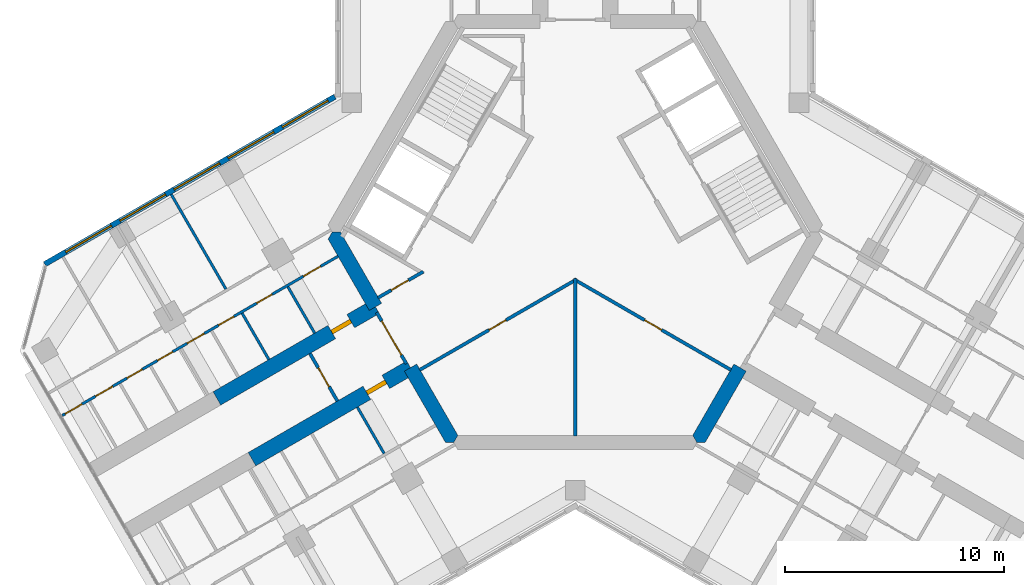
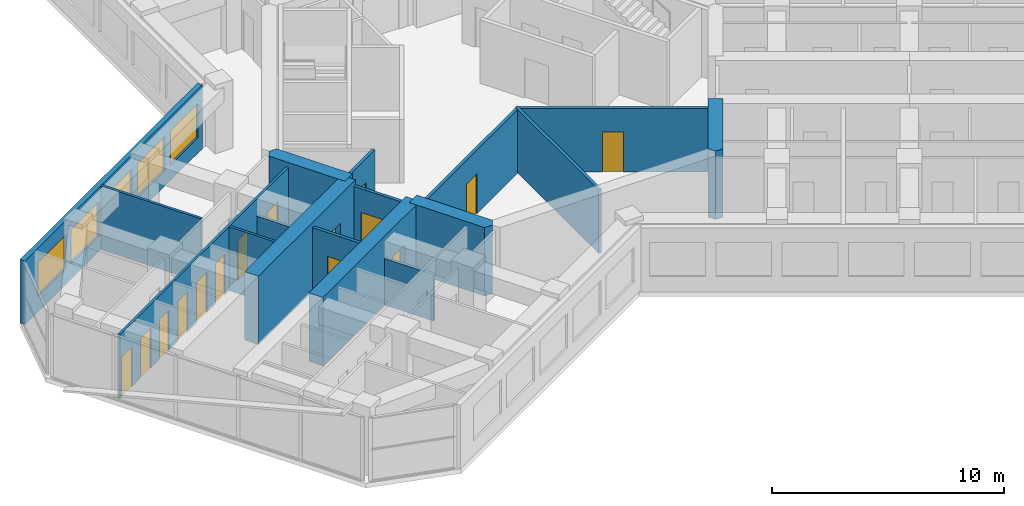
# One storey, part 9 of 16: 17 walls, 15 doors, 5 windows, 20 openings.
"""IFC4 building model written with IfcOpenShell, lengths in metres."""

import ifcopenshell
import ifcopenshell.guid

model = None  # the IFC model being written
_history = None  # IfcOwnerHistory: only IFC2X3 demands one
_inside = {}  # id of a spatial element -> (the spatial element, [elements in it])
_under = {}  # id of a project, library or spatial element -> (it, [spatial elements below it])
_declared = {}  # id of a project -> (the project, [libraries it declares])
_typed = {}  # id of a type object -> (the type object, [elements of that type])
_made_of = {}  # id of a material, layer set ... -> (it, [elements and type objects made of it])


def new_model(schema):
    """Start an empty IFC model of exactly this schema.

    Asked for "IFC4X3", IfcOpenShell would pick the latest addendum, in which some entities
    have other attributes; the version numbers below select the first issue.
    IFC2X3 requires an IfcOwnerHistory on every rooted entity: one is made here for all.
    """
    global model, _history
    if schema == "IFC4X3":
        model = ifcopenshell.file(schema_version=(4, 3, 0, 0))
    else:
        model = ifcopenshell.file(schema=schema)
    _inside.clear()
    _under.clear()
    _declared.clear()
    _typed.clear()
    _made_of.clear()
    _history = None
    if model.schema == "IFC2X3":
        org = make("IfcOrganization", Name="unknown")
        user = make(
            "IfcPersonAndOrganization",
            ThePerson=make("IfcPerson", FamilyName="unknown"),
            TheOrganization=org,
        )
        app = make(
            "IfcApplication",
            ApplicationDeveloper=org,
            Version="unknown",
            ApplicationFullName="unknown",
            ApplicationIdentifier="unknown",
        )
        _history = make(
            "IfcOwnerHistory",
            OwningUser=user,
            OwningApplication=app,
            ChangeAction="ADDED",
            CreationDate=0,
        )
    return model


def make(cls, **values):
    """One entity of the class cls with the attributes given. An attribute that is None is left unset."""
    return model.create_entity(
        cls, **{name: value for name, value in values.items() if value is not None}
    )


def rooted(cls, **values):
    """An entity with a GlobalId (a new one), such as an element, a storey or a relation."""
    return make(cls, GlobalId=ifcopenshell.guid.new(), OwnerHistory=_history, **values)


def si_unit(unit_type, name, prefix=None):
    """IfcSIUnit, for example si_unit("LENGTHUNIT", "METRE", prefix="MILLI")."""
    return make("IfcSIUnit", UnitType=unit_type, Prefix=prefix, Name=name)


def assignment(units):
    """IfcUnitAssignment: the units of a project."""
    return None if units is None else make("IfcUnitAssignment", Units=units)


def point(xyz):
    """IfcCartesianPoint."""
    return None if xyz is None else make("IfcCartesianPoint", Coordinates=xyz)


def direction(xyz):
    """IfcDirection."""
    return None if xyz is None else make("IfcDirection", DirectionRatios=xyz)


def frame(location, z_axis=None, x_axis=None):
    """IfcAxis2Placement3D, a coordinate frame: its origin and axes. An axis left out is left unset."""
    return make(
        "IfcAxis2Placement3D",
        Location=point(location),
        Axis=direction(z_axis),
        RefDirection=direction(x_axis),
    )


def frame_2d(location, x_axis=None):
    """IfcAxis2Placement2D, a coordinate frame in the plane: its origin and x axis."""
    return make(
        "IfcAxis2Placement2D", Location=point(location), RefDirection=direction(x_axis)
    )


def origin():
    """The frame at (0, 0, 0) with its axes left unset."""
    return frame((0.0, 0.0, 0.0))


def place(relative_to, where):
    """IfcLocalPlacement: puts the frame where relative to a parent placement (None: the world)."""
    return make(
        "IfcLocalPlacement", PlacementRelTo=relative_to, RelativePlacement=where
    )


def context(
    kind, dimensions, precision=None, world=None, true_north=None, identifier=None
):
    """IfcGeometricRepresentationContext, for example the 3D "Model" context."""
    return make(
        "IfcGeometricRepresentationContext",
        ContextIdentifier=identifier,
        ContextType=kind,
        CoordinateSpaceDimension=dimensions,
        Precision=precision,
        WorldCoordinateSystem=world,
        TrueNorth=true_north,
    )


def subcontext(parent, identifier, kind, view, scale=None):
    """IfcGeometricRepresentationSubContext, for example "Body" below "Model"."""
    return make(
        "IfcGeometricRepresentationSubContext",
        ContextIdentifier=identifier,
        ContextType=kind,
        ParentContext=parent,
        TargetScale=scale,
        TargetView=view,
    )


def project(units=None, contexts=None):
    """IfcProject with its units and contexts."""
    return rooted(
        "IfcProject",
        Name="project",
        RepresentationContexts=contexts,
        UnitsInContext=assignment(units),
    )


def spatial(cls, under=None, at=None, **own):
    """A site, building, storey or space (cls), placed at a placement, below another one or the project."""
    s = rooted(cls, ObjectPlacement=at, **own)
    if under is not None:
        _under.setdefault(under.id(), (under, []))[1].append(s)
    return s


def polyline(points):
    """IfcPolyline through the points."""
    return make("IfcPolyline", Points=[point(p) for p in points])


def profile(cls, at=None, kind="AREA", **sizes):
    """A parametric profile (cls). Its sizes go by their IFC names, for example OverallWidth=200.0."""
    return make(cls, ProfileType=kind, Position=at, **sizes)


def rectangle(**sizes):
    """IfcRectangleProfileDef."""
    return profile("IfcRectangleProfileDef", **sizes)


def outline(outer, holes=None, kind="AREA"):
    """IfcArbitraryClosedProfileDef: a profile drawn as a closed curve; with holes, ...WithVoids."""
    if holes is None:
        return make("IfcArbitraryClosedProfileDef", ProfileType=kind, OuterCurve=outer)
    return make(
        "IfcArbitraryProfileDefWithVoids",
        ProfileType=kind,
        OuterCurve=outer,
        InnerCurves=holes,
    )


def extrude(swept, where, along, depth):
    """IfcExtrudedAreaSolid: the profile swept, set in the frame where, extruded along a direction by depth."""
    return make(
        "IfcExtrudedAreaSolid",
        SweptArea=swept,
        Position=where,
        ExtrudedDirection=direction(along),
        Depth=depth,
    )


def shape(context_of_items, identifier, shape_type, items):
    """IfcShapeRepresentation: the items that make up one representation, for example the "Body"."""
    return make(
        "IfcShapeRepresentation",
        ContextOfItems=context_of_items,
        RepresentationIdentifier=identifier,
        RepresentationType=shape_type,
        Items=items,
    )


def material(Name=None, Category=None):
    """IfcMaterial."""
    return make("IfcMaterial", Name=Name, Category=Category)


def layer(
    of_material, thickness, ventilated=None, Name=None, Category=None, Priority=None
):
    """IfcMaterialLayer: one layer of a wall or slab, of a material (None: an air gap)."""
    return make(
        "IfcMaterialLayer",
        Material=of_material,
        LayerThickness=thickness,
        IsVentilated=ventilated,
        Name=Name,
        Category=Category,
        Priority=Priority,
    )


def layer_set(layers, Name=None):
    """IfcMaterialLayerSet."""
    return make("IfcMaterialLayerSet", MaterialLayers=layers, LayerSetName=Name)


def made_of(thing, what):
    """Note that an element or type object is made of a material, layer set ...; save() writes the relation."""
    if what is not None:
        _made_of.setdefault(what.id(), (what, []))[1].append(thing)
    return thing


def type_object(cls, material=None, **own):
    """A type object (cls), such as IfcWallType, which elements share."""
    return made_of(rooted(cls, **own), material)


def element(
    cls,
    number,
    at=None,
    inside=None,
    cuts=None,
    type_object=None,
    material=None,
    context=None,
    identifier="Body",
    shape_type=None,
    held_by="IfcProductDefinitionShape",
    body=None,
    shapes=None,
    **own,
):
    """One element of the class cls, such as IfcWall. Its Tag is "e" and its number.

    at: its placement. inside: the storey or other place that contains it. cuts: it is an
    opening in that element (IfcRelVoidsElement). A single representation is given by context,
    identifier, shape_type and body (its items); several are given by shapes. held_by: the class
    of the entity that holds the representations. save() writes the other relations.
    """
    e = rooted(cls, Tag="e%d" % number, ObjectPlacement=at, **own)
    if body is not None:
        shapes = [shape(context, identifier, shape_type, body)]
    if shapes is not None:
        e.Representation = make(held_by, Representations=shapes)
    if inside is not None:
        _inside.setdefault(inside.id(), (inside, []))[1].append(e)
    if cuts is not None:
        rooted(
            "IfcRelVoidsElement", RelatingBuildingElement=cuts, RelatedOpeningElement=e
        )
    if type_object is not None:
        _typed.setdefault(type_object.id(), (type_object, []))[1].append(e)
    return made_of(e, material)


def fill(opening, filler):
    """IfcRelFillsElement: the door or window that sits in an opening."""
    return rooted(
        "IfcRelFillsElement",
        RelatingOpeningElement=opening,
        RelatedBuildingElement=filler,
    )


def aggregate(whole, parts):
    """IfcRelAggregates: a whole, such as a stair, and the parts it consists of."""
    return rooted("IfcRelAggregates", RelatingObject=whole, RelatedObjects=parts)


def save(model, path):
    """Write the relations noted so far, then the file.

    IfcRelAggregates (storeys below a building ...), IfcRelContainedInSpatialStructure (elements
    in a storey), IfcRelDefinesByType, IfcRelAssociatesMaterial and IfcRelDeclares: one each for
    every whole, place, type object, material and project.
    """
    for whole, parts in _under.values():
        aggregate(whole, parts)
    for where, things in _inside.values():
        rooted(
            "IfcRelContainedInSpatialStructure",
            RelatedElements=things,
            RelatingStructure=where,
        )
    for kind, things in _typed.values():
        rooted("IfcRelDefinesByType", RelatedObjects=things, RelatingType=kind)
    for what, things in _made_of.values():
        rooted("IfcRelAssociatesMaterial", RelatedObjects=things, RelatingMaterial=what)
    for by, libraries in _declared.values():
        rooted("IfcRelDeclares", RelatingContext=by, RelatedDefinitions=libraries)
    model.write(path)


model = new_model("IFC4")

# Units and contexts
model_context = context("Model", 3, precision=1e-05, world=origin(), true_north=direction((0.0, 1.0)))
body_context = subcontext(model_context, "Body", "Model", "MODEL_VIEW")
ifc_project = project(units=[si_unit("LENGTHUNIT", "METRE"), si_unit("AREAUNIT", "SQUARE_METRE"), si_unit("VOLUMEUNIT", "CUBIC_METRE"), si_unit("PLANEANGLEUNIT", "RADIAN"), si_unit("MASSUNIT", "GRAM", prefix="KILO")], contexts=[model_context])

# Site, building, storey
site_placement = place(None, origin())
site = spatial("IfcSite", under=ifc_project, at=site_placement, CompositionType="ELEMENT")
building_placement = place(site_placement, origin())
building = spatial("IfcBuilding", under=site, at=building_placement, Name="Kosmar Iwan School Tower", CompositionType="ELEMENT")
storey_placement = place(building_placement, frame((0.0, 0.0, 215.39990234375)))
storey = spatial("IfcBuildingStorey", under=building, at=storey_placement, Name="L54", CompositionType="ELEMENT", Elevation=215.39990234375)

# Wall
ifc_material_1 = material(Name="Gypsum board on steel studs, fire-rated", Category="steel")
ifc_layer_1 = layer(ifc_material_1, 0.14990234375)
ifc_layer_set_1 = layer_set([ifc_layer_1], Name="Core room partition 150")
wall_type_1 = type_object("IfcWallType", Name="Core room partition 150", PredefinedType="PARTITIONING", material=ifc_layer_set_1)
wall_1_placement = place(storey_placement, frame((0.0, -9.294921875, 0.0), z_axis=(0.0, 0.0, 1.0), x_axis=(0.0, 1.0, 0.0)))
element("IfcWall", 1, at=wall_1_placement, inside=storey, type_object=wall_type_1, Name="Core room partition L54-CW5", PredefinedType="PARTITIONING", context=body_context, shape_type="SweptSolid", body=[
    extrude(rectangle(XDim=7.176025390625, YDim=0.14990234375, at=frame_2d((3.587890625, 0.0))), origin(), (0.0, 0.0, 1.0), 3.35009765625),
])

# Wall, opening, door
wall_2_placement = place(storey_placement, frame((-0.06494140625, -2.156494140625, 0.0), z_axis=(0.0, 0.0, 1.0), x_axis=(0.866024394272, -0.500001748523, 0.0)))
wall_2 = element("IfcWall", 2, at=wall_2_placement, inside=storey, type_object=wall_type_1, Name="Core room partition L54-CW6", PredefinedType="PARTITIONING", context=body_context, shape_type="SweptSolid", body=[
    extrude(rectangle(XDim=8.27294921875, YDim=0.14990234375, at=frame_2d((4.136474609375, 0.0))), origin(), (0.0, 0.0, 1.0), 3.35009765625),
])
opening_1_placement = place(wall_2_placement, frame((3.721923828125, 0.0, 0.0)))
opening_1 = element("IfcOpeningElement", 3, at=opening_1_placement, cuts=wall_2, Name="Opening D14", PredefinedType="OPENING", context=body_context, shape_type="SweptSolid", body=[
    extrude(rectangle(XDim=0.89990234375, YDim=2.10009765625, at=frame_2d((0.449951171875, 1.050048828125))), frame((0.0, 0.0869140625, 0.0), z_axis=(0.0, -1.0, 0.0), x_axis=(1.0, 0.0, 0.0)), (0.0, 0.0, 1.0), 0.173828125),
])
ifc_material_2 = material(Name="Timber fire door in steel frame", Category="steel")
door_type_1 = type_object("IfcDoorType", Name="Core room door 900x2100", OperationType="SINGLE_SWING_LEFT", PredefinedType="DOOR", material=ifc_material_2)
door_1_placement = place(opening_1_placement, origin())
door_1 = element("IfcDoor", 4, at=door_1_placement, inside=storey, type_object=door_type_1, Name="Bulky waste store door L54 3", OperationType="SINGLE_SWING_RIGHT", OverallHeight=2.10009765625, OverallWidth=0.89990234375, PredefinedType="DOOR", context=body_context, shape_type="SweptSolid", body=[
    extrude(rectangle(XDim=0.89990234375, YDim=2.10009765625, at=frame_2d((0.449951171875, 1.050048828125))), frame((0.0, 0.02490234375, 0.0), z_axis=(0.0, -1.0, 0.0), x_axis=(1.0, 0.0, 0.0)), (0.0, 0.0, 1.0), 0.050048828125),
])
fill(opening_1, door_1)

wall_3_placement = place(storey_placement, frame((-7.099609375, -6.29296875, 0.0), z_axis=(0.0, 0.0, 1.0), x_axis=(0.866024394272, 0.500001748523, 0.0)))
wall_3 = element("IfcWall", 5, at=wall_3_placement, inside=storey, type_object=wall_type_1, Name="Core room partition L54-CW7", PredefinedType="PARTITIONING", context=body_context, shape_type="SweptSolid", body=[
    extrude(rectangle(XDim=8.27294921875, YDim=0.14990234375, at=frame_2d((4.136474609375, 0.0))), origin(), (0.0, 0.0, 1.0), 3.35009765625),
])
opening_2_placement = place(wall_3_placement, frame((3.652099609375, 0.0, 0.0)))
opening_2 = element("IfcOpeningElement", 6, at=opening_2_placement, cuts=wall_3, Name="Opening D14", PredefinedType="OPENING", context=body_context, shape_type="SweptSolid", body=[
    extrude(rectangle(XDim=0.89990234375, YDim=2.10009765625, at=frame_2d((0.449951171875, 1.050048828125))), frame((0.0, 0.0869140625, 0.0), z_axis=(0.0, -1.0, 0.0), x_axis=(1.0, 0.0, 0.0)), (0.0, 0.0, 1.0), 0.173828125),
])
door_2_placement = place(opening_2_placement, origin())
door_2 = element("IfcDoor", 7, at=door_2_placement, inside=storey, type_object=door_type_1, Name="Residents' laundry room door L54 4", OperationType="SINGLE_SWING_LEFT", OverallHeight=2.10009765625, OverallWidth=0.89990234375, PredefinedType="DOOR", context=body_context, shape_type="SweptSolid", body=[
    extrude(rectangle(XDim=0.89990234375, YDim=2.10009765625, at=frame_2d((0.449951171875, 1.050048828125))), frame((0.0, 0.02490234375, 0.0), z_axis=(0.0, -1.0, 0.0), x_axis=(1.0, 0.0, 0.0)), (0.0, 0.0, 1.0), 0.050048828125),
])
fill(opening_2, door_2)

wall_4_placement = place(storey_placement, frame((-6.93505859375, -1.81005859375, 0.0), z_axis=(0.0, 0.0, 1.0), x_axis=(-0.866054279967, -0.499949981648, 0.0)))
wall_4 = element("IfcWall", 8, at=wall_4_placement, inside=storey, type_object=wall_type_1, Name="Core room partition L54-CW9", PredefinedType="PARTITIONING", context=body_context, shape_type="SweptSolid", body=[
    extrude(rectangle(XDim=2.384033203125, YDim=0.14990234375, at=frame_2d((1.19189453125, 0.0))), origin(), (0.0, 0.0, 1.0), 3.35009765625),
])
opening_3_placement = place(wall_4_placement, frame((0.777099609375, 0.0, 0.0)))
opening_3 = element("IfcOpeningElement", 9, at=opening_3_placement, cuts=wall_4, Name="Opening D14", PredefinedType="OPENING", context=body_context, shape_type="SweptSolid", body=[
    extrude(rectangle(XDim=0.89990234375, YDim=2.10009765625, at=frame_2d((0.449951171875, 1.050048828125))), frame((0.0, 0.0869140625, 0.0), z_axis=(0.0, -1.0, 0.0), x_axis=(1.0, 0.0, 0.0)), (0.0, 0.0, 1.0), 0.173828125),
])
door_3_placement = place(opening_3_placement, origin())
door_3 = element("IfcDoor", 10, at=door_3_placement, inside=storey, type_object=door_type_1, Name="Housekeeping store door L54 5", OperationType="SINGLE_SWING_RIGHT", OverallHeight=2.10009765625, OverallWidth=0.89990234375, PredefinedType="DOOR", context=body_context, shape_type="SweptSolid", body=[
    extrude(rectangle(XDim=0.89990234375, YDim=2.10009765625, at=frame_2d((0.449951171875, 1.050048828125))), frame((0.0, 0.02490234375, 0.0), z_axis=(0.0, -1.0, 0.0), x_axis=(1.0, 0.0, 0.0)), (0.0, 0.0, 1.0), 0.050048828125),
])
fill(opening_3, door_3)

# Walls
ifc_material_3 = material(Name="Concrete C50/60", Category="concrete")
ifc_layer_2 = layer(ifc_material_3, 0.64990234375)
ifc_layer_set_2 = layer_set([ifc_layer_2], Name="Core wall 650")
wall_type_2 = type_object("IfcWallType", Name="Core wall 650", PredefinedType="SHEAR", material=ifc_layer_set_2)
wall_5_placement = place(storey_placement, origin())
element("IfcWall", 11, at=wall_5_placement, inside=storey, type_object=wall_type_2, Name="Core wall F210a", PredefinedType="SHEAR", context=body_context, shape_type="SweptSolid", body=[
    extrude(outline(polyline([(-9.395263671875, -3.576904296875), (-8.832275390625, -3.251953125), (-10.7099609375, 0.0), (-11.085205078125, 0.0), (-11.272705078125, -0.324951171875), (-9.395263671875, -3.576904296875)])), origin(), (0.0, 0.0, 1.0), 3.60009765625),
])
wall_6_placement = place(storey_placement, origin())
element("IfcWall", 12, at=wall_6_placement, inside=storey, type_object=wall_type_2, Name="Core wall F210b", PredefinedType="SHEAR", context=body_context, shape_type="SweptSolid", body=[
    extrude(outline(polyline([(-5.917724609375, -9.60009765625), (-5.54248046875, -9.60009765625), (-5.35498046875, -9.27490234375), (-7.232421875, -6.023193359375), (-7.79541015625, -6.34814453125), (-5.917724609375, -9.60009765625)])), origin(), (0.0, 0.0, 1.0), 3.60009765625),
])
wall_7_placement = place(storey_placement, origin())
element("IfcWall", 13, at=wall_7_placement, inside=storey, type_object=wall_type_2, Name="Core wall F330a", PredefinedType="SHEAR", context=body_context, shape_type="SweptSolid", body=[
    extrude(outline(polyline([(5.54248046875, -9.60009765625), (5.917724609375, -9.60009765625), (7.79541015625, -6.34814453125), (7.232421875, -6.023193359375), (5.35498046875, -9.27490234375), (5.54248046875, -9.60009765625)])), origin(), (0.0, 0.0, 1.0), 3.60009765625),
])

# Wall, opening, door
ifc_material_4 = material(Name="Concrete C50/60", Category="concrete")
ifc_layer_3 = layer(ifc_material_4, 0.699951171875)
ifc_layer_set_3 = layer_set([ifc_layer_3], Name="Corridor buttress wall 700")
wall_type_3 = type_object("IfcWallType", Name="Corridor buttress wall 700", PredefinedType="SHEAR", material=ifc_layer_set_3)
wall_8_placement = place(storey_placement, frame((-7.513916015625, -6.185546875, 0.0), z_axis=(0.0, 0.0, 1.0), x_axis=(-0.866019549707, -0.500010139422, 0.0)))
wall_8 = element("IfcWall", 14, at=wall_8_placement, inside=storey, type_object=wall_type_3, Name="Corridor wall BL", PredefinedType="SHEAR", context=body_context, shape_type="SweptSolid", body=[
    extrude(rectangle(XDim=8.349853515625, YDim=0.699951171875, at=frame_2d((4.1748046875, 0.0))), origin(), (0.0, 0.0, 1.0), 3.60009765625),
])
opening_4_placement = place(wall_8_placement, frame((1.300048828125, 0.0, 0.0)))
opening_4 = element("IfcOpeningElement", 15, at=opening_4_placement, cuts=wall_8, Name="Opening D1", PredefinedType="OPENING", context=body_context, shape_type="SweptSolid", body=[
    extrude(rectangle(XDim=1.0, YDim=2.10009765625, at=frame_2d((0.5, 1.050048828125))), frame((0.0, 0.362060546875, 0.0), z_axis=(0.0, -1.0, 0.0), x_axis=(1.0, 0.0, 0.0)), (0.0, 0.0, 1.0), 0.723876953125),
])
ifc_material_5 = material(Name="Timber fire door in steel frame", Category="steel")
door_type_2 = type_object("IfcDoorType", Name="Flat entrance door 1000x2100", OperationType="SINGLE_SWING_LEFT", PredefinedType="DOOR", material=ifc_material_5)
door_4_placement = place(opening_4_placement, origin())
door_4 = element("IfcDoor", 16, at=door_4_placement, inside=storey, type_object=door_type_2, Name="Flat L54-BL1 entrance door", OperationType="SINGLE_SWING_RIGHT", OverallHeight=2.10009765625, OverallWidth=1.0, PredefinedType="DOOR", context=body_context, shape_type="SweptSolid", body=[
    extrude(rectangle(XDim=1.0, YDim=2.10009765625, at=frame_2d((0.5, 1.050048828125))), frame((0.0, 0.10009765625, 0.0), z_axis=(0.0, -1.0, 0.0), x_axis=(1.0, 0.0, 0.0)), (0.0, 0.0, 1.0), 0.199951171875),
])
fill(opening_4, door_4)

wall_9_placement = place(storey_placement, frame((-9.11376953125, -3.414306640625, 0.0), z_axis=(0.0, 0.0, 1.0), x_axis=(-0.866026859388, -0.499997478812, 0.0)))
wall_9 = element("IfcWall", 17, at=wall_9_placement, inside=storey, type_object=wall_type_3, Name="Corridor wall BR", PredefinedType="SHEAR", context=body_context, shape_type="SweptSolid", body=[
    extrude(rectangle(XDim=8.35009765625, YDim=0.699951171875, at=frame_2d((4.175048828125, 0.0))), origin(), (0.0, 0.0, 1.0), 3.60009765625),
])
opening_5_placement = place(wall_9_placement, frame((1.300048828125, 0.0, 0.0)))
opening_5 = element("IfcOpeningElement", 18, at=opening_5_placement, cuts=wall_9, Name="Opening D1", PredefinedType="OPENING", context=body_context, shape_type="SweptSolid", body=[
    extrude(rectangle(XDim=1.0, YDim=2.10009765625, at=frame_2d((0.5, 1.050048828125))), frame((0.0, 0.362060546875, 0.0), z_axis=(0.0, -1.0, 0.0), x_axis=(1.0, 0.0, 0.0)), (0.0, 0.0, 1.0), 0.723876953125),
])
door_5_placement = place(opening_5_placement, origin())
door_5 = element("IfcDoor", 19, at=door_5_placement, inside=storey, type_object=door_type_2, Name="Flat L54-BR1 entrance door", OperationType="SINGLE_SWING_LEFT", OverallHeight=2.10009765625, OverallWidth=1.0, PredefinedType="DOOR", context=body_context, shape_type="SweptSolid", body=[
    extrude(rectangle(XDim=1.0, YDim=2.10009765625, at=frame_2d((0.5, 1.050048828125))), frame((0.0, 0.10009765625, 0.0), z_axis=(0.0, -1.0, 0.0), x_axis=(1.0, 0.0, 0.0)), (0.0, 0.0, 1.0), 0.199951171875),
])
fill(opening_5, door_5)

ifc_material_6 = material(Name="Gypsum board on steel studs, fire-rated", Category="steel")
ifc_layer_4 = layer(ifc_material_6, 0.14990234375)
ifc_layer_set_4 = layer_set([ifc_layer_4], Name="Corridor end wall 150")
wall_type_4 = type_object("IfcWallType", Name="Corridor end wall 150", PredefinedType="PARTITIONING", material=ifc_layer_set_4)
wall_10_placement = place(storey_placement, frame((-12.099853515625, -5.54248046875, 0.0), z_axis=(0.0, 0.0, 1.0), x_axis=(0.500004234368, -0.866022959057, 0.0)))
wall_10 = element("IfcWall", 20, at=wall_10_placement, inside=storey, type_object=wall_type_4, Name="Partition L54-B-CE", PredefinedType="PARTITIONING", context=body_context, shape_type="SweptSolid", body=[
    extrude(rectangle(XDim=2.5, YDim=0.14990234375, at=frame_2d((1.25, 0.0))), origin(), (0.0, 0.0, 1.0), 3.35009765625),
])
opening_6_placement = place(wall_10_placement, frame((0.75, 0.0, 0.0)))
opening_6 = element("IfcOpeningElement", 21, at=opening_6_placement, cuts=wall_10, Name="Opening D13", PredefinedType="OPENING", context=body_context, shape_type="SweptSolid", body=[
    extrude(rectangle(XDim=1.0, YDim=2.10009765625, at=frame_2d((0.5, 1.050048828125))), frame((0.0, 0.0869140625, 0.0), z_axis=(0.0, -1.0, 0.0), x_axis=(1.0, 0.0, 0.0)), (0.0, 0.0, 1.0), 0.173828125),
])
ifc_material_7 = material(Name="Timber fire door with vision panel", Category="wood")
door_type_3 = type_object("IfcDoorType", Name="Corridor end door 1000x2100", OperationType="SINGLE_SWING_LEFT", PredefinedType="DOOR", material=ifc_material_7)
door_6_placement = place(opening_6_placement, origin())
door_6 = element("IfcDoor", 22, at=door_6_placement, inside=storey, type_object=door_type_3, Name="Hobby workshop door L54-B", OperationType="SINGLE_SWING_LEFT", OverallHeight=2.10009765625, OverallWidth=1.0, PredefinedType="DOOR", context=body_context, shape_type="SweptSolid", body=[
    extrude(rectangle(XDim=1.0, YDim=2.10009765625, at=frame_2d((0.5, 1.050048828125))), frame((0.0, 0.02490234375, 0.0), z_axis=(0.0, -1.0, 0.0), x_axis=(1.0, 0.0, 0.0)), (0.0, 0.0, 1.0), 0.050048828125),
])
fill(opening_6, door_6)

ifc_material_8 = material(Name="Steel framed glazed screen", Category="steel")
ifc_layer_5 = layer(ifc_material_8, 0.14990234375)
ifc_layer_set_5 = layer_set([ifc_layer_5], Name="Corridor screen wall 150")
wall_type_5 = type_object("IfcWallType", Name="Corridor screen wall 150", PredefinedType="PARTITIONING", material=ifc_layer_set_5)
wall_11_placement = place(storey_placement, frame((-9.0537109375, -3.66845703125, 0.0), z_axis=(0.0, 0.0, 1.0), x_axis=(0.499980770555, -0.866036505625, 0.0)))
wall_11 = element("IfcWall", 23, at=wall_11_placement, inside=storey, type_object=wall_type_5, Name="Corridor screen B L54", PredefinedType="PARTITIONING", context=body_context, shape_type="SweptSolid", body=[
    extrude(rectangle(XDim=2.69970703125, YDim=0.14990234375, at=frame_2d((1.349853515625, 0.0))), origin(), (0.0, 0.0, 1.0), 3.35009765625),
])
opening_7_placement = place(wall_11_placement, frame((0.449951171875, 0.0, 0.0)))
opening_7 = element("IfcOpeningElement", 24, at=opening_7_placement, cuts=wall_11, Name="Opening D9", PredefinedType="OPENING", context=body_context, shape_type="SweptSolid", body=[
    extrude(rectangle(XDim=1.800048828125, YDim=2.10009765625, at=frame_2d((0.89990234375, 1.050048828125))), frame((0.0, 0.0869140625, 0.0), z_axis=(0.0, -1.0, 0.0), x_axis=(1.0, 0.0, 0.0)), (0.0, 0.0, 1.0), 0.173828125),
])
ifc_material_9 = material(Name="Steel framed glazed smoke door", Category="steel")
door_type_4 = type_object("IfcDoorType", Name="Corridor smoke door pair 1800x2100", OperationType="DOUBLE_DOOR_DOUBLE_SWING", PredefinedType="DOOR", material=ifc_material_9)
door_7_placement = place(opening_7_placement, origin())
door_7 = element("IfcDoor", 25, at=door_7_placement, inside=storey, type_object=door_type_4, Name="Corridor doors B L54", OperationType="DOUBLE_DOOR_DOUBLE_SWING", OverallHeight=2.10009765625, OverallWidth=1.800048828125, PredefinedType="DOOR", context=body_context, shape_type="SweptSolid", body=[
    extrude(rectangle(XDim=1.800048828125, YDim=2.10009765625, at=frame_2d((0.89990234375, 1.050048828125))), frame((0.0, 0.02490234375, 0.0), z_axis=(0.0, -1.0, 0.0), x_axis=(1.0, 0.0, 0.0)), (0.0, 0.0, 1.0), 0.050048828125),
])
fill(opening_7, door_7)

# Wall
ifc_material_10 = material(Name="Gypsum board on steel studs", Category="steel")
ifc_layer_6 = layer(ifc_material_10, 0.1201171875)
ifc_layer_set_6 = layer_set([ifc_layer_6], Name="Dwelling partition 120")
wall_type_6 = type_object("IfcWallType", Name="Dwelling partition 120", PredefinedType="PARTITIONING", material=ifc_layer_set_6)
wall_12_placement = place(storey_placement, frame((-9.93701171875, -7.98876953125, 0.0), z_axis=(0.0, 0.0, 1.0), x_axis=(0.500077547548, -0.865980627057, 0.0)))
element("IfcWall", 26, at=wall_12_placement, inside=storey, type_object=wall_type_6, Name="Partition L54-BL1-Y1", PredefinedType="PARTITIONING", context=body_context, shape_type="SweptSolid", body=[
    extrude(rectangle(XDim=2.43994140625, YDim=0.1201171875, at=frame_2d((1.219970703125, 0.0))), origin(), (0.0, 0.0, 1.0), 2.4501953125),
])

# Wall, openings, doors
wall_13_placement = place(storey_placement, frame((-10.8203125, -1.108642578125, 0.0), z_axis=(0.0, 0.0, 1.0), x_axis=(-0.866025425371, -0.499999962611, 0.0)))
wall_13 = element("IfcWall", 27, at=wall_13_placement, inside=storey, type_object=wall_type_6, Name="Partition L54-BR1-W1", PredefinedType="PARTITIONING", context=body_context, shape_type="SweptSolid", body=[
    extrude(rectangle(XDim=14.52001953125, YDim=0.1201171875, at=frame_2d((7.260009765625, 0.0))), origin(), (0.0, 0.0, 1.0), 3.35009765625),
])
opening_8_placement = place(wall_13_placement, frame((0.925048828125, 0.0, 0.0)))
opening_8 = element("IfcOpeningElement", 28, at=opening_8_placement, cuts=wall_13, Name="Opening D2", PredefinedType="OPENING", context=body_context, shape_type="SweptSolid", body=[
    extrude(rectangle(XDim=0.89990234375, YDim=2.10009765625, at=frame_2d((0.449951171875, 1.050048828125))), frame((0.0, 0.072021484375, 0.0), z_axis=(0.0, -1.0, 0.0), x_axis=(1.0, 0.0, 0.0)), (0.0, 0.0, 1.0), 0.14404296875),
])
opening_9_placement = place(wall_13_placement, frame((3.47998046875, 0.0, 0.0)))
opening_9 = element("IfcOpeningElement", 29, at=opening_9_placement, cuts=wall_13, Name="Opening D3", PredefinedType="OPENING", context=body_context, shape_type="SweptSolid", body=[
    extrude(rectangle(XDim=0.800048828125, YDim=2.10009765625, at=frame_2d((0.39990234375, 1.050048828125))), frame((0.0, 0.072021484375, 0.0), z_axis=(0.0, -1.0, 0.0), x_axis=(1.0, 0.0, 0.0)), (0.0, 0.0, 1.0), 0.14404296875),
])
opening_10_placement = place(wall_13_placement, frame((5.48828125, 0.0, 0.0)))
opening_10 = element("IfcOpeningElement", 30, at=opening_10_placement, cuts=wall_13, Name="Opening D3", PredefinedType="OPENING", context=body_context, shape_type="SweptSolid", body=[
    extrude(rectangle(XDim=0.800048828125, YDim=2.10009765625, at=frame_2d((0.39990234375, 1.050048828125))), frame((0.0, 0.072021484375, 0.0), z_axis=(0.0, -1.0, 0.0), x_axis=(1.0, 0.0, 0.0)), (0.0, 0.0, 1.0), 0.14404296875),
])
opening_11_placement = place(wall_13_placement, frame((7.044921875, 0.0, 0.0)))
opening_11 = element("IfcOpeningElement", 31, at=opening_11_placement, cuts=wall_13, Name="Opening D2", PredefinedType="OPENING", context=body_context, shape_type="SweptSolid", body=[
    extrude(rectangle(XDim=0.89990234375, YDim=2.10009765625, at=frame_2d((0.449951171875, 1.050048828125))), frame((0.0, 0.072021484375, 0.0), z_axis=(0.0, -1.0, 0.0), x_axis=(1.0, 0.0, 0.0)), (0.0, 0.0, 1.0), 0.14404296875),
])
opening_12_placement = place(wall_13_placement, frame((8.70166015625, 0.0, 0.0)))
opening_12 = element("IfcOpeningElement", 32, at=opening_12_placement, cuts=wall_13, Name="Opening D3", PredefinedType="OPENING", context=body_context, shape_type="SweptSolid", body=[
    extrude(rectangle(XDim=0.800048828125, YDim=2.10009765625, at=frame_2d((0.39990234375, 1.050048828125))), frame((0.0, 0.072021484375, 0.0), z_axis=(0.0, -1.0, 0.0), x_axis=(1.0, 0.0, 0.0)), (0.0, 0.0, 1.0), 0.14404296875),
])
opening_13_placement = place(wall_13_placement, frame((10.308349609375, 0.0, 0.0)))
opening_13 = element("IfcOpeningElement", 33, at=opening_13_placement, cuts=wall_13, Name="Opening D3", PredefinedType="OPENING", context=body_context, shape_type="SweptSolid", body=[
    extrude(rectangle(XDim=0.800048828125, YDim=2.10009765625, at=frame_2d((0.39990234375, 1.050048828125))), frame((0.0, 0.072021484375, 0.0), z_axis=(0.0, -1.0, 0.0), x_axis=(1.0, 0.0, 0.0)), (0.0, 0.0, 1.0), 0.14404296875),
])
opening_14_placement = place(wall_13_placement, frame((11.864990234375, 0.0, 0.0)))
opening_14 = element("IfcOpeningElement", 34, at=opening_14_placement, cuts=wall_13, Name="Opening D2", PredefinedType="OPENING", context=body_context, shape_type="SweptSolid", body=[
    extrude(rectangle(XDim=0.89990234375, YDim=2.10009765625, at=frame_2d((0.449951171875, 1.050048828125))), frame((0.0, 0.072021484375, 0.0), z_axis=(0.0, -1.0, 0.0), x_axis=(1.0, 0.0, 0.0)), (0.0, 0.0, 1.0), 0.14404296875),
])
opening_15_placement = place(wall_13_placement, frame((13.4716796875, 0.0, 0.0)))
opening_15 = element("IfcOpeningElement", 35, at=opening_15_placement, cuts=wall_13, Name="Opening D2", PredefinedType="OPENING", context=body_context, shape_type="SweptSolid", body=[
    extrude(rectangle(XDim=0.89990234375, YDim=2.10009765625, at=frame_2d((0.449951171875, 1.050048828125))), frame((0.0, 0.072021484375, 0.0), z_axis=(0.0, -1.0, 0.0), x_axis=(1.0, 0.0, 0.0)), (0.0, 0.0, 1.0), 0.14404296875),
])
ifc_material_11 = material(Name="Timber door in timber frame", Category="wood")
door_type_5 = type_object("IfcDoorType", Name="Internal door 900x2100", OperationType="SINGLE_SWING_LEFT", PredefinedType="DOOR", material=ifc_material_11)
door_8_placement = place(opening_8_placement, origin())
door_8 = element("IfcDoor", 36, at=door_8_placement, inside=storey, type_object=door_type_5, Name="Entrance hall door L54-BR1-S1", OperationType="SINGLE_SWING_RIGHT", OverallHeight=2.10009765625, OverallWidth=0.89990234375, PredefinedType="DOOR", context=body_context, shape_type="SweptSolid", body=[
    extrude(rectangle(XDim=0.89990234375, YDim=2.10009765625, at=frame_2d((0.449951171875, 1.050048828125))), frame((0.0, 0.02490234375, 0.0), z_axis=(0.0, -1.0, 0.0), x_axis=(1.0, 0.0, 0.0)), (0.0, 0.0, 1.0), 0.050048828125),
])
fill(opening_8, door_8)
door_9_placement = place(opening_11_placement, origin())
door_9 = element("IfcDoor", 37, at=door_9_placement, inside=storey, type_object=door_type_5, Name="Pantry door L54-BR1-S4", OperationType="SINGLE_SWING_LEFT", OverallHeight=2.10009765625, OverallWidth=0.89990234375, PredefinedType="DOOR", context=body_context, shape_type="SweptSolid", body=[
    extrude(rectangle(XDim=0.89990234375, YDim=2.10009765625, at=frame_2d((0.449951171875, 1.050048828125))), frame((0.0, 0.02490234375, 0.0), z_axis=(0.0, -1.0, 0.0), x_axis=(1.0, 0.0, 0.0)), (0.0, 0.0, 1.0), 0.050048828125),
])
fill(opening_11, door_9)
door_10_placement = place(opening_14_placement, origin())
door_10 = element("IfcDoor", 38, at=door_10_placement, inside=storey, type_object=door_type_5, Name="Utility room door L54-BR1-S7", OperationType="SINGLE_SWING_RIGHT", OverallHeight=2.10009765625, OverallWidth=0.89990234375, PredefinedType="DOOR", context=body_context, shape_type="SweptSolid", body=[
    extrude(rectangle(XDim=0.89990234375, YDim=2.10009765625, at=frame_2d((0.449951171875, 1.050048828125))), frame((0.0, 0.02490234375, 0.0), z_axis=(0.0, -1.0, 0.0), x_axis=(1.0, 0.0, 0.0)), (0.0, 0.0, 1.0), 0.050048828125),
])
fill(opening_14, door_10)
door_11_placement = place(opening_15_placement, origin())
door_11 = element("IfcDoor", 39, at=door_11_placement, inside=storey, type_object=door_type_5, Name="Dressing room door L54-BR1-S8", OperationType="SINGLE_SWING_RIGHT", OverallHeight=2.10009765625, OverallWidth=0.89990234375, PredefinedType="DOOR", context=body_context, shape_type="SweptSolid", body=[
    extrude(rectangle(XDim=0.89990234375, YDim=2.10009765625, at=frame_2d((0.449951171875, 1.050048828125))), frame((0.0, 0.02490234375, 0.0), z_axis=(0.0, -1.0, 0.0), x_axis=(1.0, 0.0, 0.0)), (0.0, 0.0, 1.0), 0.050048828125),
])
fill(opening_15, door_11)
ifc_material_12 = material(Name="Timber door in timber frame", Category="wood")
door_type_6 = type_object("IfcDoorType", Name="Sanitary room door 800x2100", OperationType="SINGLE_SWING_LEFT", PredefinedType="DOOR", material=ifc_material_12)
door_12_placement = place(opening_9_placement, origin())
door_12 = element("IfcDoor", 40, at=door_12_placement, inside=storey, type_object=door_type_6, Name="Bathroom door L54-BR1-S2", OperationType="SINGLE_SWING_LEFT", OverallHeight=2.10009765625, OverallWidth=0.800048828125, PredefinedType="DOOR", context=body_context, shape_type="SweptSolid", body=[
    extrude(rectangle(XDim=0.800048828125, YDim=2.10009765625, at=frame_2d((0.39990234375, 1.050048828125))), frame((0.0, 0.02490234375, 0.0), z_axis=(0.0, -1.0, 0.0), x_axis=(1.0, 0.0, 0.0)), (0.0, 0.0, 1.0), 0.050048828125),
])
fill(opening_9, door_12)
door_13_placement = place(opening_10_placement, origin())
door_13 = element("IfcDoor", 41, at=door_13_placement, inside=storey, type_object=door_type_6, Name="Shower room door L54-BR1-S3", OperationType="SINGLE_SWING_RIGHT", OverallHeight=2.10009765625, OverallWidth=0.800048828125, PredefinedType="DOOR", context=body_context, shape_type="SweptSolid", body=[
    extrude(rectangle(XDim=0.800048828125, YDim=2.10009765625, at=frame_2d((0.39990234375, 1.050048828125))), frame((0.0, 0.02490234375, 0.0), z_axis=(0.0, -1.0, 0.0), x_axis=(1.0, 0.0, 0.0)), (0.0, 0.0, 1.0), 0.050048828125),
])
fill(opening_10, door_13)
door_14_placement = place(opening_12_placement, origin())
door_14 = element("IfcDoor", 42, at=door_14_placement, inside=storey, type_object=door_type_6, Name="WC door L54-BR1-S5", OperationType="SINGLE_SWING_RIGHT", OverallHeight=2.10009765625, OverallWidth=0.800048828125, PredefinedType="DOOR", context=body_context, shape_type="SweptSolid", body=[
    extrude(rectangle(XDim=0.800048828125, YDim=2.10009765625, at=frame_2d((0.39990234375, 1.050048828125))), frame((0.0, 0.02490234375, 0.0), z_axis=(0.0, -1.0, 0.0), x_axis=(1.0, 0.0, 0.0)), (0.0, 0.0, 1.0), 0.050048828125),
])
fill(opening_12, door_14)
door_15_placement = place(opening_13_placement, origin())
door_15 = element("IfcDoor", 43, at=door_15_placement, inside=storey, type_object=door_type_6, Name="Store door L54-BR1-S6", OperationType="SINGLE_SWING_LEFT", OverallHeight=2.10009765625, OverallWidth=0.800048828125, PredefinedType="DOOR", context=body_context, shape_type="SweptSolid", body=[
    extrude(rectangle(XDim=0.800048828125, YDim=2.10009765625, at=frame_2d((0.39990234375, 1.050048828125))), frame((0.0, 0.02490234375, 0.0), z_axis=(0.0, -1.0, 0.0), x_axis=(1.0, 0.0, 0.0)), (0.0, 0.0, 1.0), 0.050048828125),
])
fill(opening_13, door_15)

# Walls
wall_14_placement = place(storey_placement, frame((-15.931884765625, -2.60498046875, 0.0), z_axis=(0.0, 0.0, 1.0), x_axis=(-0.500011847778, 0.866018563358, 0.0)))
element("IfcWall", 44, at=wall_14_placement, inside=storey, type_object=wall_type_6, Name="Partition L54-BR1-X1", PredefinedType="PARTITIONING", context=body_context, shape_type="SweptSolid", body=[
    extrude(rectangle(XDim=4.990234375, YDim=0.1201171875, at=frame_2d((2.4951171875, 0.0))), origin(), (0.0, 0.0, 1.0), 3.35009765625),
])
wall_15_placement = place(storey_placement, frame((-11.886962890625, -4.611328125, 0.0), z_axis=(0.0, 0.0, 1.0), x_axis=(-0.499959183527, 0.866048967903, 0.0)))
element("IfcWall", 45, at=wall_15_placement, inside=storey, type_object=wall_type_6, Name="Partition L54-BR1-Y1", PredefinedType="PARTITIONING", context=body_context, shape_type="SweptSolid", body=[
    extrude(rectangle(XDim=2.440185546875, YDim=0.1201171875, at=frame_2d((1.22021484375, 0.0))), origin(), (0.0, 0.0, 1.0), 2.4501953125),
])
wall_16_placement = place(storey_placement, frame((-13.97412109375, -5.816162109375, 0.0), z_axis=(0.0, 0.0, 1.0), x_axis=(-0.500002508028, 0.866023955769, 0.0)))
element("IfcWall", 46, at=wall_16_placement, inside=storey, type_object=wall_type_6, Name="Partition L54-BR1-Y2", PredefinedType="PARTITIONING", context=body_context, shape_type="SweptSolid", body=[
    extrude(rectangle(XDim=2.43994140625, YDim=0.1201171875, at=frame_2d((1.219970703125, 0.0))), origin(), (0.0, 0.0, 1.0), 3.35009765625),
])

# Wall, openings, windows
ifc_material_13 = material(Name="Black aluminium rainscreen on insulated framing", Category="aluminium")
ifc_layer_7 = layer(ifc_material_13, 0.25)
ifc_layer_set_7 = layer_set([ifc_layer_7], Name="External wall rainscreen 250")
wall_type_7 = type_object("IfcWallType", Name="External wall rainscreen 250", PredefinedType="SOLIDWALL", material=ifc_layer_set_7)
wall_17_placement = place(storey_placement, frame((-10.962890625, 6.170166015625, 0.0), z_axis=(0.0, 0.0, 1.0), x_axis=(-0.866025637253, -0.499999595621, 0.0)))
wall_17 = element("IfcWall", 47, at=wall_17_placement, inside=storey, type_object=wall_type_7, Name="External wall BR L54", PredefinedType="SOLIDWALL", context=body_context, shape_type="SweptSolid", body=[
    extrude(rectangle(XDim=15.2763671875, YDim=0.25, at=frame_2d((7.63818359375, 0.0))), origin(), (0.0, 0.0, 1.0), 3.35009765625),
])
opening_16_placement = place(wall_17_placement, frame((0.365966796875, 0.0, 0.800048828125)))
opening_16 = element("IfcOpeningElement", 48, at=opening_16_placement, cuts=wall_17, Name="Opening W5", PredefinedType="OPENING", context=body_context, shape_type="SweptSolid", body=[
    extrude(rectangle(XDim=2.39990234375, YDim=1.800048828125, at=frame_2d((1.199951171875, 0.89990234375))), frame((0.0, 0.136962890625, 0.0), z_axis=(0.0, -1.0, 0.0), x_axis=(1.0, 0.0, 0.0)), (0.0, 0.0, 1.0), 0.27392578125),
])
opening_17_placement = place(wall_17_placement, frame((3.216064453125, 0.0, 0.800048828125)))
opening_17 = element("IfcOpeningElement", 49, at=opening_17_placement, cuts=wall_17, Name="Opening W5", PredefinedType="OPENING", context=body_context, shape_type="SweptSolid", body=[
    extrude(rectangle(XDim=2.39990234375, YDim=1.800048828125, at=frame_2d((1.199951171875, 0.89990234375))), frame((0.0, 0.136962890625, 0.0), z_axis=(0.0, -1.0, 0.0), x_axis=(1.0, 0.0, 0.0)), (0.0, 0.0, 1.0), 0.27392578125),
])
opening_18_placement = place(wall_17_placement, frame((6.06591796875, 0.0, 0.800048828125)))
opening_18 = element("IfcOpeningElement", 50, at=opening_18_placement, cuts=wall_17, Name="Opening W5", PredefinedType="OPENING", context=body_context, shape_type="SweptSolid", body=[
    extrude(rectangle(XDim=2.39990234375, YDim=1.800048828125, at=frame_2d((1.199951171875, 0.89990234375))), frame((0.0, 0.136962890625, 0.0), z_axis=(0.0, -1.0, 0.0), x_axis=(1.0, 0.0, 0.0)), (0.0, 0.0, 1.0), 0.27392578125),
])
opening_19_placement = place(wall_17_placement, frame((8.916015625, 0.0, 0.800048828125)))
opening_19 = element("IfcOpeningElement", 51, at=opening_19_placement, cuts=wall_17, Name="Opening W5", PredefinedType="OPENING", context=body_context, shape_type="SweptSolid", body=[
    extrude(rectangle(XDim=2.39990234375, YDim=1.800048828125, at=frame_2d((1.199951171875, 0.89990234375))), frame((0.0, 0.136962890625, 0.0), z_axis=(0.0, -1.0, 0.0), x_axis=(1.0, 0.0, 0.0)), (0.0, 0.0, 1.0), 0.27392578125),
])
opening_20_placement = place(wall_17_placement, frame((11.76611328125, 0.0, 0.800048828125)))
opening_20 = element("IfcOpeningElement", 52, at=opening_20_placement, cuts=wall_17, Name="Opening W5", PredefinedType="OPENING", context=body_context, shape_type="SweptSolid", body=[
    extrude(rectangle(XDim=2.39990234375, YDim=1.800048828125, at=frame_2d((1.199951171875, 0.89990234375))), frame((0.0, 0.136962890625, 0.0), z_axis=(0.0, -1.0, 0.0), x_axis=(1.0, 0.0, 0.0)), (0.0, 0.0, 1.0), 0.27392578125),
])
ifc_material_14 = material(Name="Black aluminium frame with dark triple glazing", Category="aluminium")
window_type = type_object("IfcWindowType", Name="Window 2400x1800", PartitioningType="SINGLE_PANEL", PredefinedType="WINDOW", material=ifc_material_14)
window_1_placement = place(opening_16_placement, origin())
window_1 = element("IfcWindow", 53, at=window_1_placement, inside=storey, type_object=window_type, Name="Window BR L54 -1", OverallHeight=1.800048828125, OverallWidth=2.39990234375, PartitioningType="SINGLE_PANEL", PredefinedType="WINDOW", context=body_context, shape_type="SweptSolid", body=[
    extrude(rectangle(XDim=2.39990234375, YDim=1.800048828125, at=frame_2d((1.199951171875, 0.89990234375))), frame((0.0, 0.030029296875, 0.0), z_axis=(0.0, -1.0, 0.0), x_axis=(1.0, 0.0, 0.0)), (0.0, 0.0, 1.0), 0.06005859375),
])
fill(opening_16, window_1)
window_2_placement = place(opening_17_placement, origin())
window_2 = element("IfcWindow", 54, at=window_2_placement, inside=storey, type_object=window_type, Name="Window BR L54 0", OverallHeight=1.800048828125, OverallWidth=2.39990234375, PartitioningType="SINGLE_PANEL", PredefinedType="WINDOW", context=body_context, shape_type="SweptSolid", body=[
    extrude(rectangle(XDim=2.39990234375, YDim=1.800048828125, at=frame_2d((1.199951171875, 0.89990234375))), frame((0.0, 0.030029296875, 0.0), z_axis=(0.0, -1.0, 0.0), x_axis=(1.0, 0.0, 0.0)), (0.0, 0.0, 1.0), 0.06005859375),
])
fill(opening_17, window_2)
window_3_placement = place(opening_18_placement, origin())
window_3 = element("IfcWindow", 55, at=window_3_placement, inside=storey, type_object=window_type, Name="Window BR L54 1", OverallHeight=1.800048828125, OverallWidth=2.39990234375, PartitioningType="SINGLE_PANEL", PredefinedType="WINDOW", context=body_context, shape_type="SweptSolid", body=[
    extrude(rectangle(XDim=2.39990234375, YDim=1.800048828125, at=frame_2d((1.199951171875, 0.89990234375))), frame((0.0, 0.030029296875, 0.0), z_axis=(0.0, -1.0, 0.0), x_axis=(1.0, 0.0, 0.0)), (0.0, 0.0, 1.0), 0.06005859375),
])
fill(opening_18, window_3)
window_4_placement = place(opening_19_placement, origin())
window_4 = element("IfcWindow", 56, at=window_4_placement, inside=storey, type_object=window_type, Name="Window BR L54 2", OverallHeight=1.800048828125, OverallWidth=2.39990234375, PartitioningType="SINGLE_PANEL", PredefinedType="WINDOW", context=body_context, shape_type="SweptSolid", body=[
    extrude(rectangle(XDim=2.39990234375, YDim=1.800048828125, at=frame_2d((1.199951171875, 0.89990234375))), frame((0.0, 0.030029296875, 0.0), z_axis=(0.0, -1.0, 0.0), x_axis=(1.0, 0.0, 0.0)), (0.0, 0.0, 1.0), 0.06005859375),
])
fill(opening_19, window_4)
window_5_placement = place(opening_20_placement, origin())
window_5 = element("IfcWindow", 57, at=window_5_placement, inside=storey, type_object=window_type, Name="Window BR L54 3", OverallHeight=1.800048828125, OverallWidth=2.39990234375, PartitioningType="SINGLE_PANEL", PredefinedType="WINDOW", context=body_context, shape_type="SweptSolid", body=[
    extrude(rectangle(XDim=2.39990234375, YDim=1.800048828125, at=frame_2d((1.199951171875, 0.89990234375))), frame((0.0, 0.030029296875, 0.0), z_axis=(0.0, -1.0, 0.0), x_axis=(1.0, 0.0, 0.0)), (0.0, 0.0, 1.0), 0.06005859375),
])
fill(opening_20, window_5)

save(model, "model.ifc")
